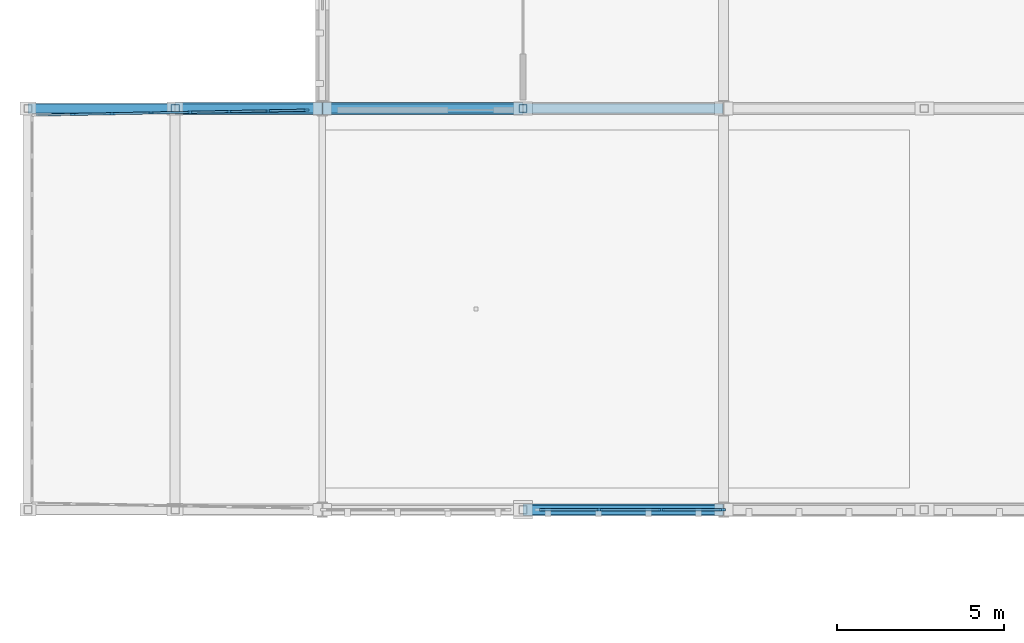
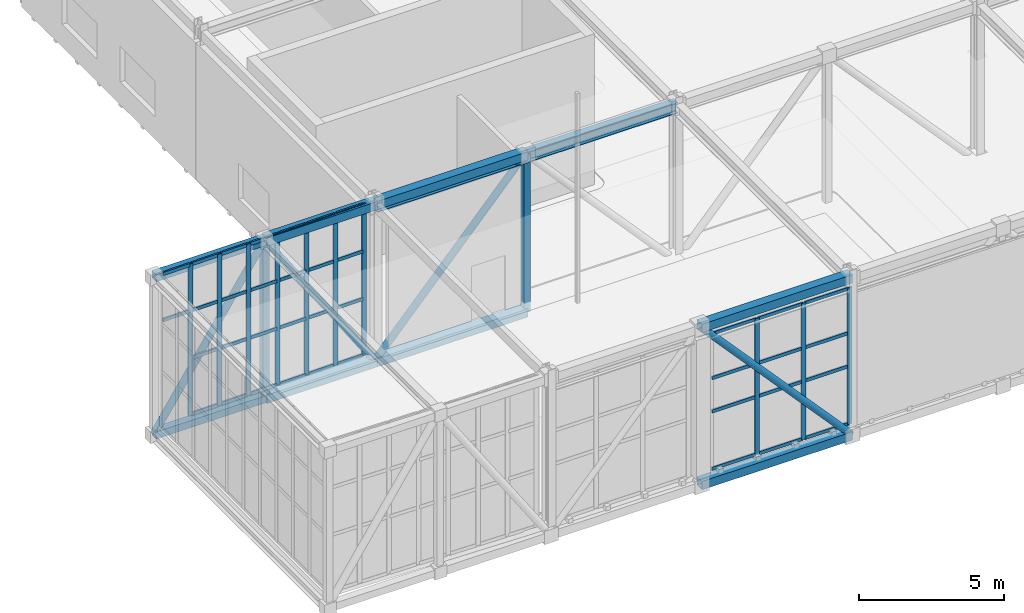
# One storey, part 14 of 62: 62 members, 1 beam, 2 elements without a shape of their own.
"""IFC4 building model written with IfcOpenShell, lengths in metres."""

from ifc_helpers import new_model, si_unit, direction, frame, origin, origin_2d, place, context, subcontext, project, spatial, rectangle, hollow_rectangle, hollow_circle, i_section, extrude, material, layer, layer_set, material_profile, profile_set, type_object, element, aggregate, save


model = new_model("IFC4")

# Units and contexts
model_context = context("Model", 3, precision=1e-05, world=origin(), true_north=direction((0.0, 1.0)))
body_context = subcontext(model_context, "Body", "Model", "MODEL_VIEW")
ifc_project = project(units=[si_unit("LENGTHUNIT", "METRE"), si_unit("AREAUNIT", "SQUARE_METRE"), si_unit("VOLUMEUNIT", "CUBIC_METRE"), si_unit("PLANEANGLEUNIT", "RADIAN"), si_unit("MASSUNIT", "GRAM", prefix="KILO")], contexts=[model_context])

# Site, building, storey
site_placement = place(None, origin())
site = spatial("IfcSite", under=ifc_project, at=site_placement, CompositionType="ELEMENT")
building_placement = place(site_placement, origin())
building = spatial("IfcBuilding", under=site, at=building_placement, Name="Zlatogorsky Bluff Art Gallery", CompositionType="ELEMENT")
storey_placement = place(building_placement, frame((0.0, 0.0, 16.800048828125)))
storey = spatial("IfcBuildingStorey", under=building, at=storey_placement, Name="L03", CompositionType="ELEMENT", Elevation=16.800048828125)

# Beam
ifc_material_1 = material(Name="Steel S355", Category="steel")
ifc_material_profile_1 = material_profile(ifc_material_1, i_section(OverallWidth=0.300048828125, OverallDepth=0.43994140625, WebThickness=0.011474609375, FlangeThickness=0.02099609375, FilletRadius=0.027099609375, at=origin_2d()), Name="HEA 450")
ifc_profile_set_1 = profile_set([ifc_material_profile_1], Name="Steel S355")
beam_type = type_object("IfcBeamType", Name="Beam BM-08 HEA 450", PredefinedType="BEAM", material=ifc_profile_set_1)
beam_placement = place(storey_placement, frame((0.014892578125, 96.0, 6.10986328125), z_axis=(1.0, 0.0, 0.0), x_axis=(0.0, 1.0, 0.0)))
element("IfcBeam", 1, at=beam_placement, inside=storey, type_object=beam_type, Name="Primary girder BM-08 L03 A-B/10", PredefinedType="BEAM", context=body_context, shape_type="SweptSolid", body=[
    extrude(i_section(OverallWidth=0.300048828125, OverallDepth=0.43994140625, WebThickness=0.011474609375, FlangeThickness=0.02099609375, FilletRadius=0.027099609375, at=origin_2d()), origin(), (0.0, 0.0, 1.0), 11.97021484375),
])

# Curtain wall, members
ifc_material_2 = material(Name="Anodised Bronze Aluminium and Low-Iron Triple Glazing", Category="aluminium")
ifc_layer_1 = layer(ifc_material_2, 0.219970703125)
ifc_layer_set_1 = layer_set([ifc_layer_1], Name="Curtain Wall CW-04")
curtain_wall_type_1 = type_object("IfcCurtainWallType", Name="Curtain Wall CW-04", PredefinedType="USERDEFINED", material=ifc_layer_set_1)
curtain_wall_1_placement = place(storey_placement, origin())
curtain_wall_1 = element("IfcCurtainWall", 2, at=curtain_wall_1_placement, inside=storey, type_object=curtain_wall_type_1, Name="Unitised curtain wall CW-04 L03 S 0.8-B", ObjectType="CURTAIN WALL", PredefinedType="USERDEFINED")
ifc_material_3 = material(Name="Anodised Bronze Aluminium", Category="aluminium")
ifc_material_profile_2 = material_profile(ifc_material_3, rectangle(XDim=0.06494140625, YDim=0.179931640625, at=origin_2d()), Name="ALU MULLION 65x180")
ifc_profile_set_2 = profile_set([ifc_material_profile_2], Name="Anodised Bronze Aluminium")
member_type_1 = type_object("IfcMemberType", Name="Curtain Mullion ML-01", PredefinedType="MULLION", material=ifc_profile_set_2)
member_1_placement = place(storey_placement, frame((8.280029296875, 84.0, 0.0), z_axis=(0.0, 0.0, 1.0), x_axis=(0.0, 1.0, 0.0)))
member_1 = element("IfcMember", 3, at=member_1_placement, type_object=member_type_1, Name="CW-04 mullion 2", PredefinedType="MULLION", context=body_context, shape_type="SweptSolid", body=[
    extrude(rectangle(XDim=0.06494140625, YDim=0.179931640625, at=origin_2d()), origin(), (0.0, 0.0, 1.0), 5.75),
])
member_2_placement = place(storey_placement, frame((10.139892578125, 84.0, 0.0), z_axis=(0.0, 0.0, 1.0), x_axis=(0.0, 1.0, 0.0)))
member_2 = element("IfcMember", 4, at=member_2_placement, type_object=member_type_1, Name="CW-04 mullion 3", PredefinedType="MULLION", context=body_context, shape_type="SweptSolid", body=[
    extrude(rectangle(XDim=0.06494140625, YDim=0.179931640625, at=origin_2d()), origin(), (0.0, 0.0, 1.0), 5.75),
])
member_3_placement = place(storey_placement, frame((11.967529296875, 84.0, 0.0), z_axis=(0.0, 0.0, 1.0), x_axis=(0.0, 1.0, 0.0)))
member_3 = element("IfcMember", 5, at=member_3_placement, type_object=member_type_1, Name="CW-04 mullion 4", PredefinedType="MULLION", context=body_context, shape_type="SweptSolid", body=[
    extrude(rectangle(XDim=0.06494140625, YDim=0.179931640625, at=origin_2d()), origin(), (0.0, 0.0, 1.0), 5.75),
])

ifc_layer_2 = layer(ifc_material_2, 0.179931640625)
ifc_layer_set_2 = layer_set([ifc_layer_2], Name="Curtain Wall CW-03")
curtain_wall_type_2 = type_object("IfcCurtainWallType", Name="Curtain Wall CW-03", PredefinedType="USERDEFINED", material=ifc_layer_set_2)
curtain_wall_2_placement = place(storey_placement, origin())
curtain_wall_2 = element("IfcCurtainWall", 6, at=curtain_wall_2_placement, inside=storey, type_object=curtain_wall_type_2, Name="Cantilevered lookout curtain wall N", ObjectType="CURTAIN WALL", PredefinedType="USERDEFINED")
member_4_placement = place(storey_placement, frame((-0.482421875, 95.949462890625, 0.0), z_axis=(0.0, 0.0, 1.0), x_axis=(0.018356759503, -0.999831500494, 0.0)))
member_4 = element("IfcMember", 7, at=member_4_placement, type_object=member_type_1, Name="CW-03 mullion 1", PredefinedType="MULLION", context=body_context, shape_type="SweptSolid", body=[
    extrude(rectangle(XDim=0.06494140625, YDim=0.179931640625, at=origin_2d()), origin(), (0.0, 0.0, 1.0), 6.3798828125),
])
member_5_placement = place(storey_placement, frame((-1.6171875, 95.928466796875, 0.0), z_axis=(0.0, 0.0, 1.0), x_axis=(0.018356759503, -0.999831500494, 0.0)))
member_5 = element("IfcMember", 8, at=member_5_placement, type_object=member_type_1, Name="CW-03 mullion 2", PredefinedType="MULLION", context=body_context, shape_type="SweptSolid", body=[
    extrude(rectangle(XDim=0.06494140625, YDim=0.179931640625, at=origin_2d()), origin(), (0.0, 0.0, 1.0), 6.3798828125),
])
member_6_placement = place(storey_placement, frame((-2.7841796875, 95.9072265625, 0.0), z_axis=(0.0, 0.0, 1.0), x_axis=(0.018356759503, -0.999831500494, 0.0)))
member_6 = element("IfcMember", 9, at=member_6_placement, type_object=member_type_1, Name="CW-03 mullion 3", PredefinedType="MULLION", context=body_context, shape_type="SweptSolid", body=[
    extrude(rectangle(XDim=0.06494140625, YDim=0.179931640625, at=origin_2d()), origin(), (0.0, 0.0, 1.0), 6.3798828125),
])
member_7_placement = place(storey_placement, frame((-3.951416015625, 95.8857421875, 0.0), z_axis=(0.0, 0.0, 1.0), x_axis=(0.018356759503, -0.999831500494, 0.0)))
member_7 = element("IfcMember", 10, at=member_7_placement, type_object=member_type_1, Name="CW-03 mullion 4", PredefinedType="MULLION", context=body_context, shape_type="SweptSolid", body=[
    extrude(rectangle(XDim=0.06494140625, YDim=0.179931640625, at=origin_2d()), origin(), (0.0, 0.0, 1.0), 6.3798828125),
])
member_8_placement = place(storey_placement, frame((-5.11865234375, 95.8642578125, 0.0), z_axis=(0.0, 0.0, 1.0), x_axis=(0.018356759503, -0.999831500494, 0.0)))
member_8 = element("IfcMember", 11, at=member_8_placement, type_object=member_type_1, Name="CW-03 mullion 5", PredefinedType="MULLION", context=body_context, shape_type="SweptSolid", body=[
    extrude(rectangle(XDim=0.06494140625, YDim=0.179931640625, at=origin_2d()), origin(), (0.0, 0.0, 1.0), 6.3798828125),
])
member_9_placement = place(storey_placement, frame((-6.28564453125, 95.8427734375, 0.0), z_axis=(0.0, 0.0, 1.0), x_axis=(0.018356759503, -0.999831500494, 0.0)))
member_9 = element("IfcMember", 12, at=member_9_placement, type_object=member_type_1, Name="CW-03 mullion 6", PredefinedType="MULLION", context=body_context, shape_type="SweptSolid", body=[
    extrude(rectangle(XDim=0.06494140625, YDim=0.179931640625, at=origin_2d()), origin(), (0.0, 0.0, 1.0), 6.3798828125),
])
member_10_placement = place(storey_placement, frame((-7.452880859375, 95.821533203125, 0.0), z_axis=(0.0, 0.0, 1.0), x_axis=(0.018356759503, -0.999831500494, 0.0)))
member_10 = element("IfcMember", 13, at=member_10_placement, type_object=member_type_1, Name="CW-03 mullion 7", PredefinedType="MULLION", context=body_context, shape_type="SweptSolid", body=[
    extrude(rectangle(XDim=0.06494140625, YDim=0.179931640625, at=origin_2d()), origin(), (0.0, 0.0, 1.0), 6.3798828125),
])

# Member
ifc_material_profile_3 = material_profile(ifc_material_3, rectangle(XDim=0.06494140625, YDim=0.139892578125, at=origin_2d()), Name="ALU TRANSOM 65x140")
ifc_profile_set_3 = profile_set([ifc_material_profile_3], Name="Anodised Bronze Aluminium")
member_type_2 = type_object("IfcMemberType", Name="Curtain Transom TR-01", PredefinedType="USERDEFINED", material=ifc_profile_set_3)
member_11_placement = place(storey_placement, frame((6.485107421875, 84.0, 0.032470703125), z_axis=(1.0, 0.0, 0.0), x_axis=(0.0, 1.0, 0.0)))
member_11 = element("IfcMember", 14, at=member_11_placement, type_object=member_type_2, Name="CW-04 transom 1.1", ObjectType="TRANSOM", PredefinedType="USERDEFINED", context=body_context, shape_type="SweptSolid", body=[
    extrude(rectangle(XDim=0.06494140625, YDim=0.139892578125, at=origin_2d()), origin(), (0.0, 0.0, 1.0), 1.762451171875),
])

member_12_placement = place(storey_placement, frame((6.485107421875, 84.0, 2.449951171875), z_axis=(1.0, 0.0, 0.0), x_axis=(0.0, 1.0, 0.0)))
member_12 = element("IfcMember", 15, at=member_12_placement, type_object=member_type_2, Name="CW-04 transom 1.2", ObjectType="TRANSOM", PredefinedType="USERDEFINED", context=body_context, shape_type="SweptSolid", body=[
    extrude(rectangle(XDim=0.06494140625, YDim=0.139892578125, at=origin_2d()), origin(), (0.0, 0.0, 1.0), 1.762451171875),
])

member_13_placement = place(storey_placement, frame((6.485107421875, 84.0, 3.849853515625), z_axis=(1.0, 0.0, 0.0), x_axis=(0.0, 1.0, 0.0)))
member_13 = element("IfcMember", 16, at=member_13_placement, type_object=member_type_2, Name="CW-04 transom 1.3", ObjectType="TRANSOM", PredefinedType="USERDEFINED", context=body_context, shape_type="SweptSolid", body=[
    extrude(rectangle(XDim=0.06494140625, YDim=0.139892578125, at=origin_2d()), origin(), (0.0, 0.0, 1.0), 1.762451171875),
])

member_14_placement = place(storey_placement, frame((6.485107421875, 84.0, 5.717529296875), z_axis=(1.0, 0.0, 0.0), x_axis=(0.0, 1.0, 0.0)))
member_14 = element("IfcMember", 17, at=member_14_placement, type_object=member_type_2, Name="CW-04 transom 1.4", ObjectType="TRANSOM", PredefinedType="USERDEFINED", context=body_context, shape_type="SweptSolid", body=[
    extrude(rectangle(XDim=0.06494140625, YDim=0.139892578125, at=origin_2d()), origin(), (0.0, 0.0, 1.0), 1.762451171875),
])

member_15_placement = place(storey_placement, frame((8.3125, 84.0, 0.032470703125), z_axis=(1.0, 0.0, 0.0), x_axis=(0.0, 1.0, 0.0)))
member_15 = element("IfcMember", 18, at=member_15_placement, type_object=member_type_2, Name="CW-04 transom 2.1", ObjectType="TRANSOM", PredefinedType="USERDEFINED", context=body_context, shape_type="SweptSolid", body=[
    extrude(rectangle(XDim=0.06494140625, YDim=0.139892578125, at=origin_2d()), origin(), (0.0, 0.0, 1.0), 1.794921875),
])

member_16_placement = place(storey_placement, frame((8.3125, 84.0, 2.449951171875), z_axis=(1.0, 0.0, 0.0), x_axis=(0.0, 1.0, 0.0)))
member_16 = element("IfcMember", 19, at=member_16_placement, type_object=member_type_2, Name="CW-04 transom 2.2", ObjectType="TRANSOM", PredefinedType="USERDEFINED", context=body_context, shape_type="SweptSolid", body=[
    extrude(rectangle(XDim=0.06494140625, YDim=0.139892578125, at=origin_2d()), origin(), (0.0, 0.0, 1.0), 1.794921875),
])

member_17_placement = place(storey_placement, frame((8.3125, 84.0, 3.849853515625), z_axis=(1.0, 0.0, 0.0), x_axis=(0.0, 1.0, 0.0)))
member_17 = element("IfcMember", 20, at=member_17_placement, type_object=member_type_2, Name="CW-04 transom 2.3", ObjectType="TRANSOM", PredefinedType="USERDEFINED", context=body_context, shape_type="SweptSolid", body=[
    extrude(rectangle(XDim=0.06494140625, YDim=0.139892578125, at=origin_2d()), origin(), (0.0, 0.0, 1.0), 1.794921875),
])

member_18_placement = place(storey_placement, frame((8.3125, 84.0, 5.717529296875), z_axis=(1.0, 0.0, 0.0), x_axis=(0.0, 1.0, 0.0)))
member_18 = element("IfcMember", 21, at=member_18_placement, type_object=member_type_2, Name="CW-04 transom 2.4", ObjectType="TRANSOM", PredefinedType="USERDEFINED", context=body_context, shape_type="SweptSolid", body=[
    extrude(rectangle(XDim=0.06494140625, YDim=0.139892578125, at=origin_2d()), origin(), (0.0, 0.0, 1.0), 1.794921875),
])

member_19_placement = place(storey_placement, frame((10.172607421875, 84.0, 0.032470703125), z_axis=(1.0, 0.0, 0.0), x_axis=(0.0, 1.0, 0.0)))
member_19 = element("IfcMember", 22, at=member_19_placement, type_object=member_type_2, Name="CW-04 transom 3.1", ObjectType="TRANSOM", PredefinedType="USERDEFINED", context=body_context, shape_type="SweptSolid", body=[
    extrude(rectangle(XDim=0.06494140625, YDim=0.139892578125, at=origin_2d()), origin(), (0.0, 0.0, 1.0), 1.762451171875),
])

member_20_placement = place(storey_placement, frame((10.172607421875, 84.0, 2.449951171875), z_axis=(1.0, 0.0, 0.0), x_axis=(0.0, 1.0, 0.0)))
member_20 = element("IfcMember", 23, at=member_20_placement, type_object=member_type_2, Name="CW-04 transom 3.2", ObjectType="TRANSOM", PredefinedType="USERDEFINED", context=body_context, shape_type="SweptSolid", body=[
    extrude(rectangle(XDim=0.06494140625, YDim=0.139892578125, at=origin_2d()), origin(), (0.0, 0.0, 1.0), 1.762451171875),
])

member_21_placement = place(storey_placement, frame((10.172607421875, 84.0, 3.849853515625), z_axis=(1.0, 0.0, 0.0), x_axis=(0.0, 1.0, 0.0)))
member_21 = element("IfcMember", 24, at=member_21_placement, type_object=member_type_2, Name="CW-04 transom 3.3", ObjectType="TRANSOM", PredefinedType="USERDEFINED", context=body_context, shape_type="SweptSolid", body=[
    extrude(rectangle(XDim=0.06494140625, YDim=0.139892578125, at=origin_2d()), origin(), (0.0, 0.0, 1.0), 1.762451171875),
])

member_22_placement = place(storey_placement, frame((10.172607421875, 84.0, 5.717529296875), z_axis=(1.0, 0.0, 0.0), x_axis=(0.0, 1.0, 0.0)))
member_22 = element("IfcMember", 25, at=member_22_placement, type_object=member_type_2, Name="CW-04 transom 3.4", ObjectType="TRANSOM", PredefinedType="USERDEFINED", context=body_context, shape_type="SweptSolid", body=[
    extrude(rectangle(XDim=0.06494140625, YDim=0.139892578125, at=origin_2d()), origin(), (0.0, 0.0, 1.0), 1.762451171875),
])

aggregate(curtain_wall_1, [member_1, member_2, member_3, member_11, member_12, member_13, member_14, member_15, member_16, member_17, member_18, member_19, member_20, member_21, member_22])

member_23_placement = place(storey_placement, frame((-0.514892578125, 95.94873046875, 0.032470703125), z_axis=(-0.99983339168, -0.018253462194, 0.0), x_axis=(0.018253462194, -0.99983339168, 0.0)))
member_23 = element("IfcMember", 26, at=member_23_placement, type_object=member_type_2, Name="CW-03 transom 1.1", ObjectType="TRANSOM", PredefinedType="USERDEFINED", context=body_context, shape_type="SweptSolid", body=[
    extrude(rectangle(XDim=0.06494140625, YDim=0.139892578125, at=origin_2d()), origin(), (0.0, 0.0, 1.0), 1.070068359375),
])

member_24_placement = place(storey_placement, frame((-0.514892578125, 95.94873046875, 2.39990234375), z_axis=(-0.99983339168, -0.018253462194, 0.0), x_axis=(0.018253462194, -0.99983339168, 0.0)))
member_24 = element("IfcMember", 27, at=member_24_placement, type_object=member_type_2, Name="CW-03 transom 1.2", ObjectType="TRANSOM", PredefinedType="USERDEFINED", context=body_context, shape_type="SweptSolid", body=[
    extrude(rectangle(XDim=0.06494140625, YDim=0.139892578125, at=origin_2d()), origin(), (0.0, 0.0, 1.0), 1.070068359375),
])

member_25_placement = place(storey_placement, frame((-0.514892578125, 95.94873046875, 4.39990234375), z_axis=(-0.99983339168, -0.018253462194, 0.0), x_axis=(0.018253462194, -0.99983339168, 0.0)))
member_25 = element("IfcMember", 28, at=member_25_placement, type_object=member_type_2, Name="CW-03 transom 1.3", ObjectType="TRANSOM", PredefinedType="USERDEFINED", context=body_context, shape_type="SweptSolid", body=[
    extrude(rectangle(XDim=0.06494140625, YDim=0.139892578125, at=origin_2d()), origin(), (0.0, 0.0, 1.0), 1.070068359375),
])

member_26_placement = place(storey_placement, frame((-0.514892578125, 95.94873046875, 6.347412109375), z_axis=(-0.99983339168, -0.018253462194, 0.0), x_axis=(0.018253462194, -0.99983339168, 0.0)))
member_26 = element("IfcMember", 29, at=member_26_placement, type_object=member_type_2, Name="CW-03 transom 1.4", ObjectType="TRANSOM", PredefinedType="USERDEFINED", context=body_context, shape_type="SweptSolid", body=[
    extrude(rectangle(XDim=0.06494140625, YDim=0.139892578125, at=origin_2d()), origin(), (0.0, 0.0, 1.0), 1.070068359375),
])

member_27_placement = place(storey_placement, frame((-1.649658203125, 95.927978515625, 0.032470703125), z_axis=(-0.999830997561, -0.01838413221, 0.0), x_axis=(0.01838413221, -0.999830997561, 0.0)))
member_27 = element("IfcMember", 30, at=member_27_placement, type_object=member_type_2, Name="CW-03 transom 2.1", ObjectType="TRANSOM", PredefinedType="USERDEFINED", context=body_context, shape_type="SweptSolid", body=[
    extrude(rectangle(XDim=0.06494140625, YDim=0.139892578125, at=origin_2d()), origin(), (0.0, 0.0, 1.0), 1.102294921875),
])

member_28_placement = place(storey_placement, frame((-1.649658203125, 95.927978515625, 2.39990234375), z_axis=(-0.999830997561, -0.01838413221, 0.0), x_axis=(0.01838413221, -0.999830997561, 0.0)))
member_28 = element("IfcMember", 31, at=member_28_placement, type_object=member_type_2, Name="CW-03 transom 2.2", ObjectType="TRANSOM", PredefinedType="USERDEFINED", context=body_context, shape_type="SweptSolid", body=[
    extrude(rectangle(XDim=0.06494140625, YDim=0.139892578125, at=origin_2d()), origin(), (0.0, 0.0, 1.0), 1.102294921875),
])

member_29_placement = place(storey_placement, frame((-1.649658203125, 95.927978515625, 4.39990234375), z_axis=(-0.999830997561, -0.01838413221, 0.0), x_axis=(0.01838413221, -0.999830997561, 0.0)))
member_29 = element("IfcMember", 32, at=member_29_placement, type_object=member_type_2, Name="CW-03 transom 2.3", ObjectType="TRANSOM", PredefinedType="USERDEFINED", context=body_context, shape_type="SweptSolid", body=[
    extrude(rectangle(XDim=0.06494140625, YDim=0.139892578125, at=origin_2d()), origin(), (0.0, 0.0, 1.0), 1.102294921875),
])

member_30_placement = place(storey_placement, frame((-1.649658203125, 95.927978515625, 6.347412109375), z_axis=(-0.999830997561, -0.01838413221, 0.0), x_axis=(0.01838413221, -0.999830997561, 0.0)))
member_30 = element("IfcMember", 33, at=member_30_placement, type_object=member_type_2, Name="CW-03 transom 2.4", ObjectType="TRANSOM", PredefinedType="USERDEFINED", context=body_context, shape_type="SweptSolid", body=[
    extrude(rectangle(XDim=0.06494140625, YDim=0.139892578125, at=origin_2d()), origin(), (0.0, 0.0, 1.0), 1.102294921875),
])

member_31_placement = place(storey_placement, frame((-2.81689453125, 95.906494140625, 0.032470703125), z_axis=(-0.999830997561, -0.01838413221, 0.0), x_axis=(0.01838413221, -0.999830997561, 0.0)))
member_31 = element("IfcMember", 34, at=member_31_placement, type_object=member_type_2, Name="CW-03 transom 3.1", ObjectType="TRANSOM", PredefinedType="USERDEFINED", context=body_context, shape_type="SweptSolid", body=[
    extrude(rectangle(XDim=0.06494140625, YDim=0.139892578125, at=origin_2d()), origin(), (0.0, 0.0, 1.0), 1.102294921875),
])

member_32_placement = place(storey_placement, frame((-2.81689453125, 95.906494140625, 2.39990234375), z_axis=(-0.999830997561, -0.01838413221, 0.0), x_axis=(0.01838413221, -0.999830997561, 0.0)))
member_32 = element("IfcMember", 35, at=member_32_placement, type_object=member_type_2, Name="CW-03 transom 3.2", ObjectType="TRANSOM", PredefinedType="USERDEFINED", context=body_context, shape_type="SweptSolid", body=[
    extrude(rectangle(XDim=0.06494140625, YDim=0.139892578125, at=origin_2d()), origin(), (0.0, 0.0, 1.0), 1.102294921875),
])

member_33_placement = place(storey_placement, frame((-2.81689453125, 95.906494140625, 4.39990234375), z_axis=(-0.999830997561, -0.01838413221, 0.0), x_axis=(0.01838413221, -0.999830997561, 0.0)))
member_33 = element("IfcMember", 36, at=member_33_placement, type_object=member_type_2, Name="CW-03 transom 3.3", ObjectType="TRANSOM", PredefinedType="USERDEFINED", context=body_context, shape_type="SweptSolid", body=[
    extrude(rectangle(XDim=0.06494140625, YDim=0.139892578125, at=origin_2d()), origin(), (0.0, 0.0, 1.0), 1.102294921875),
])

member_34_placement = place(storey_placement, frame((-2.81689453125, 95.906494140625, 6.347412109375), z_axis=(-0.999830997561, -0.01838413221, 0.0), x_axis=(0.01838413221, -0.999830997561, 0.0)))
member_34 = element("IfcMember", 37, at=member_34_placement, type_object=member_type_2, Name="CW-03 transom 3.4", ObjectType="TRANSOM", PredefinedType="USERDEFINED", context=body_context, shape_type="SweptSolid", body=[
    extrude(rectangle(XDim=0.06494140625, YDim=0.139892578125, at=origin_2d()), origin(), (0.0, 0.0, 1.0), 1.102294921875),
])

member_35_placement = place(storey_placement, frame((-3.98388671875, 95.885009765625, 0.032470703125), z_axis=(-0.999835117419, -0.018158688733, 0.0), x_axis=(0.018158688733, -0.999835117419, 0.0)))
member_35 = element("IfcMember", 38, at=member_35_placement, type_object=member_type_2, Name="CW-03 transom 4.1", ObjectType="TRANSOM", PredefinedType="USERDEFINED", context=body_context, shape_type="SweptSolid", body=[
    extrude(rectangle(XDim=0.06494140625, YDim=0.139892578125, at=origin_2d()), origin(), (0.0, 0.0, 1.0), 1.1025390625),
])

member_36_placement = place(storey_placement, frame((-3.98388671875, 95.885009765625, 2.39990234375), z_axis=(-0.999835117419, -0.018158688733, 0.0), x_axis=(0.018158688733, -0.999835117419, 0.0)))
member_36 = element("IfcMember", 39, at=member_36_placement, type_object=member_type_2, Name="CW-03 transom 4.2", ObjectType="TRANSOM", PredefinedType="USERDEFINED", context=body_context, shape_type="SweptSolid", body=[
    extrude(rectangle(XDim=0.06494140625, YDim=0.139892578125, at=origin_2d()), origin(), (0.0, 0.0, 1.0), 1.1025390625),
])

member_37_placement = place(storey_placement, frame((-3.98388671875, 95.885009765625, 4.39990234375), z_axis=(-0.999835117419, -0.018158688733, 0.0), x_axis=(0.018158688733, -0.999835117419, 0.0)))
member_37 = element("IfcMember", 40, at=member_37_placement, type_object=member_type_2, Name="CW-03 transom 4.3", ObjectType="TRANSOM", PredefinedType="USERDEFINED", context=body_context, shape_type="SweptSolid", body=[
    extrude(rectangle(XDim=0.06494140625, YDim=0.139892578125, at=origin_2d()), origin(), (0.0, 0.0, 1.0), 1.1025390625),
])

member_38_placement = place(storey_placement, frame((-3.98388671875, 95.885009765625, 6.347412109375), z_axis=(-0.999835117419, -0.018158688733, 0.0), x_axis=(0.018158688733, -0.999835117419, 0.0)))
member_38 = element("IfcMember", 41, at=member_38_placement, type_object=member_type_2, Name="CW-03 transom 4.4", ObjectType="TRANSOM", PredefinedType="USERDEFINED", context=body_context, shape_type="SweptSolid", body=[
    extrude(rectangle(XDim=0.06494140625, YDim=0.139892578125, at=origin_2d()), origin(), (0.0, 0.0, 1.0), 1.1025390625),
])

member_39_placement = place(storey_placement, frame((-5.151123046875, 95.86376953125, 0.032470703125), z_axis=(-0.999830997561, -0.01838413221, 0.0), x_axis=(0.01838413221, -0.999830997561, 0.0)))
member_39 = element("IfcMember", 42, at=member_39_placement, type_object=member_type_2, Name="CW-03 transom 5.1", ObjectType="TRANSOM", PredefinedType="USERDEFINED", context=body_context, shape_type="SweptSolid", body=[
    extrude(rectangle(XDim=0.06494140625, YDim=0.139892578125, at=origin_2d()), origin(), (0.0, 0.0, 1.0), 1.102294921875),
])

member_40_placement = place(storey_placement, frame((-5.151123046875, 95.86376953125, 2.39990234375), z_axis=(-0.999830997561, -0.01838413221, 0.0), x_axis=(0.01838413221, -0.999830997561, 0.0)))
member_40 = element("IfcMember", 43, at=member_40_placement, type_object=member_type_2, Name="CW-03 transom 5.2", ObjectType="TRANSOM", PredefinedType="USERDEFINED", context=body_context, shape_type="SweptSolid", body=[
    extrude(rectangle(XDim=0.06494140625, YDim=0.139892578125, at=origin_2d()), origin(), (0.0, 0.0, 1.0), 1.102294921875),
])

member_41_placement = place(storey_placement, frame((-5.151123046875, 95.86376953125, 4.39990234375), z_axis=(-0.999830997561, -0.01838413221, 0.0), x_axis=(0.01838413221, -0.999830997561, 0.0)))
member_41 = element("IfcMember", 44, at=member_41_placement, type_object=member_type_2, Name="CW-03 transom 5.3", ObjectType="TRANSOM", PredefinedType="USERDEFINED", context=body_context, shape_type="SweptSolid", body=[
    extrude(rectangle(XDim=0.06494140625, YDim=0.139892578125, at=origin_2d()), origin(), (0.0, 0.0, 1.0), 1.102294921875),
])

member_42_placement = place(storey_placement, frame((-5.151123046875, 95.86376953125, 6.347412109375), z_axis=(-0.999830997561, -0.01838413221, 0.0), x_axis=(0.01838413221, -0.999830997561, 0.0)))
member_42 = element("IfcMember", 45, at=member_42_placement, type_object=member_type_2, Name="CW-03 transom 5.4", ObjectType="TRANSOM", PredefinedType="USERDEFINED", context=body_context, shape_type="SweptSolid", body=[
    extrude(rectangle(XDim=0.06494140625, YDim=0.139892578125, at=origin_2d()), origin(), (0.0, 0.0, 1.0), 1.102294921875),
])

member_43_placement = place(storey_placement, frame((-6.318115234375, 95.84228515625, 0.032470703125), z_axis=(-0.999831072396, -0.018380061796, 0.0), x_axis=(0.018380061796, -0.999831072396, 0.0)))
member_43 = element("IfcMember", 46, at=member_43_placement, type_object=member_type_2, Name="CW-03 transom 6.1", ObjectType="TRANSOM", PredefinedType="USERDEFINED", context=body_context, shape_type="SweptSolid", body=[
    extrude(rectangle(XDim=0.06494140625, YDim=0.139892578125, at=origin_2d()), origin(), (0.0, 0.0, 1.0), 1.1025390625),
])

member_44_placement = place(storey_placement, frame((-6.318115234375, 95.84228515625, 2.39990234375), z_axis=(-0.999831072396, -0.018380061796, 0.0), x_axis=(0.018380061796, -0.999831072396, 0.0)))
member_44 = element("IfcMember", 47, at=member_44_placement, type_object=member_type_2, Name="CW-03 transom 6.2", ObjectType="TRANSOM", PredefinedType="USERDEFINED", context=body_context, shape_type="SweptSolid", body=[
    extrude(rectangle(XDim=0.06494140625, YDim=0.139892578125, at=origin_2d()), origin(), (0.0, 0.0, 1.0), 1.1025390625),
])

member_45_placement = place(storey_placement, frame((-6.318115234375, 95.84228515625, 4.39990234375), z_axis=(-0.999831072396, -0.018380061796, 0.0), x_axis=(0.018380061796, -0.999831072396, 0.0)))
member_45 = element("IfcMember", 48, at=member_45_placement, type_object=member_type_2, Name="CW-03 transom 6.3", ObjectType="TRANSOM", PredefinedType="USERDEFINED", context=body_context, shape_type="SweptSolid", body=[
    extrude(rectangle(XDim=0.06494140625, YDim=0.139892578125, at=origin_2d()), origin(), (0.0, 0.0, 1.0), 1.1025390625),
])

member_46_placement = place(storey_placement, frame((-6.318115234375, 95.84228515625, 6.347412109375), z_axis=(-0.999831072396, -0.018380061796, 0.0), x_axis=(0.018380061796, -0.999831072396, 0.0)))
member_46 = element("IfcMember", 49, at=member_46_placement, type_object=member_type_2, Name="CW-03 transom 6.4", ObjectType="TRANSOM", PredefinedType="USERDEFINED", context=body_context, shape_type="SweptSolid", body=[
    extrude(rectangle(XDim=0.06494140625, YDim=0.139892578125, at=origin_2d()), origin(), (0.0, 0.0, 1.0), 1.1025390625),
])

member_47_placement = place(storey_placement, frame((-7.4853515625, 95.82080078125, 4.39990234375), z_axis=(-0.999833315631, -0.018257627311, 0.0), x_axis=(0.018257627311, -0.999833315631, 0.0)))
member_47 = element("IfcMember", 50, at=member_47_placement, type_object=member_type_2, Name="CW-03 transom 7.3", ObjectType="TRANSOM", PredefinedType="USERDEFINED", context=body_context, shape_type="SweptSolid", body=[
    extrude(rectangle(XDim=0.06494140625, YDim=0.139892578125, at=origin_2d()), origin(), (0.0, 0.0, 1.0), 1.06982421875),
])

member_48_placement = place(storey_placement, frame((-7.4853515625, 95.82080078125, 6.347412109375), z_axis=(-0.999833315631, -0.018257627311, 0.0), x_axis=(0.018257627311, -0.999833315631, 0.0)))
member_48 = element("IfcMember", 51, at=member_48_placement, type_object=member_type_2, Name="CW-03 transom 7.4", ObjectType="TRANSOM", PredefinedType="USERDEFINED", context=body_context, shape_type="SweptSolid", body=[
    extrude(rectangle(XDim=0.06494140625, YDim=0.139892578125, at=origin_2d()), origin(), (0.0, 0.0, 1.0), 1.06982421875),
])

aggregate(curtain_wall_2, [member_4, member_5, member_6, member_7, member_8, member_9, member_10, member_23, member_24, member_25, member_26, member_27, member_28, member_29, member_30, member_31, member_32, member_33, member_34, member_35, member_36, member_37, member_38, member_39, member_40, member_41, member_42, member_43, member_44, member_45, member_46, member_47, member_48])

# Members
ifc_material_profile_4 = material_profile(ifc_material_1, hollow_rectangle(XDim=0.35009765625, YDim=0.35009765625, WallThickness=0.01611328125, at=origin_2d()), Name="SHS 350x350x16")
ifc_profile_set_4 = profile_set([ifc_material_profile_4], Name="Steel S355")
member_type_3 = type_object("IfcMemberType", Name="Member TC-01 SHS 350x350x16", PredefinedType="CHORD", material=ifc_profile_set_4)
for number, where, z_axis, x_axis, name in (
    (52, (6.0, 84.0, -0.4150390625), (1.0, 0.0, 0.0), (0.0, 1.0, 0.0), "Lookout cantilever truss bottom chord S.4"),
    (53, (6.0, 84.0, 6.204833984375), (1.0, 0.0, 0.0), (0.0, 1.0, 0.0), "Lookout cantilever truss top chord S.4"),
):
    element("IfcMember", number, at=place(storey_placement, frame(where, z_axis=z_axis, x_axis=x_axis)), inside=storey, type_object=member_type_3, Name=name, PredefinedType="CHORD", context=body_context, shape_type="SweptSolid", body=[
        extrude(hollow_rectangle(XDim=0.35009765625, YDim=0.35009765625, WallThickness=0.01611328125, at=origin_2d()), origin(), (0.0, 0.0, 1.0), 6.0),
    ])
for number, where, z_axis, x_axis, name in (
    (54, (-4.39990234375, 96.0, -0.4150390625), (1.0, 0.0, 0.0), (0.0, 1.0, 0.0), "Lookout cantilever truss bottom chord N.2"),
    (55, (-4.39990234375, 96.0, 6.204833984375), (1.0, 0.0, 0.0), (0.0, 1.0, 0.0), "Lookout cantilever truss top chord N.2"),
):
    element("IfcMember", number, at=place(storey_placement, frame(where, z_axis=z_axis, x_axis=x_axis)), inside=storey, type_object=member_type_3, Name=name, PredefinedType="CHORD", context=body_context, shape_type="SweptSolid", body=[
        extrude(hollow_rectangle(XDim=0.35009765625, YDim=0.35009765625, WallThickness=0.01611328125, at=origin_2d()), origin(), (0.0, 0.0, 1.0), 4.39990234375),
    ])
for number, where, z_axis, x_axis, name in (
    (56, (0.0, 96.0, -0.4150390625), (1.0, 0.0, 0.0), (0.0, 1.0, 0.0), "Lookout cantilever truss bottom chord N.3"),
    (57, (0.0, 96.0, 6.204833984375), (1.0, 0.0, 0.0), (0.0, 1.0, 0.0), "Lookout cantilever truss top chord N.3"),
):
    element("IfcMember", number, at=place(storey_placement, frame(where, z_axis=z_axis, x_axis=x_axis)), inside=storey, type_object=member_type_3, Name=name, PredefinedType="CHORD", context=body_context, shape_type="SweptSolid", body=[
        extrude(hollow_rectangle(XDim=0.35009765625, YDim=0.35009765625, WallThickness=0.01611328125, at=origin_2d()), origin(), (0.0, 0.0, 1.0), 6.0),
    ])
ifc_material_profile_5 = material_profile(ifc_material_1, hollow_rectangle(XDim=0.300048828125, YDim=0.300048828125, WallThickness=0.01611328125, at=origin_2d()), Name="SHS 300x300x16")
ifc_profile_set_5 = profile_set([ifc_material_profile_5], Name="Steel S355")
member_type_4 = type_object("IfcMemberType", Name="Member TC-02 SHS 300x300x16", PredefinedType="CHORD", material=ifc_profile_set_5)
for number, where, z_axis, x_axis, name in (
    (58, (-8.800048828125, 96.0, -0.4150390625), (1.0, 0.0, 0.0), (0.0, 1.0, 0.0), "Lookout cantilever truss bottom chord N.1"),
    (59, (-8.800048828125, 96.0, 6.204833984375), (1.0, 0.0, 0.0), (0.0, 1.0, 0.0), "Lookout cantilever truss top chord N.1"),
):
    element("IfcMember", number, at=place(storey_placement, frame(where, z_axis=z_axis, x_axis=x_axis)), inside=storey, type_object=member_type_4, Name=name, PredefinedType="CHORD", context=body_context, shape_type="SweptSolid", body=[
        extrude(hollow_rectangle(XDim=0.300048828125, YDim=0.300048828125, WallThickness=0.01611328125, at=origin_2d()), origin(), (0.0, 0.0, 1.0), 4.400146484375),
    ])
ifc_material_profile_6 = material_profile(ifc_material_1, hollow_circle(Radius=0.136474609375, WallThickness=0.01611328125, at=origin_2d()), Name="CHS 273x16")
ifc_profile_set_6 = profile_set([ifc_material_profile_6], Name="Steel S355")
member_type_5 = type_object("IfcMemberType", Name="Member TD-01 CHS 273x16", PredefinedType="BRACE", material=ifc_profile_set_6)
member_49_placement = place(storey_placement, frame((6.0, 84.0, 6.204833984375), z_axis=(0.671564903392, 0.0, -0.740945733865), x_axis=(0.0, 1.0, 0.0)))
element("IfcMember", 60, at=member_49_placement, inside=storey, type_object=member_type_5, Name="Lookout cantilever truss web diagonal S.4", PredefinedType="BRACE", context=body_context, shape_type="SweptSolid", body=[
    extrude(hollow_circle(Radius=0.136474609375, WallThickness=0.01611328125, at=origin_2d()), origin(), (0.0, 0.0, 1.0), 8.934326171875),
])
for number, where, z_axis, x_axis, name in (
    (61, (-8.800048828125, 96.0, -0.4150390625), (0.553558531083, 0.0, 0.832810274111), (0.0, 1.0, 0.0), "Lookout cantilever truss web diagonal N.1"),
    (62, (-4.39990234375, 96.0, 6.204833984375), (0.553537228136, 0.0, -0.83282443352), (0.0, 1.0, 0.0), "Lookout cantilever truss web diagonal N.2"),
):
    element("IfcMember", number, at=place(storey_placement, frame(where, z_axis=z_axis, x_axis=x_axis)), inside=storey, type_object=member_type_5, Name=name, PredefinedType="BRACE", context=body_context, shape_type="SweptSolid", body=[
        extrude(hollow_circle(Radius=0.136474609375, WallThickness=0.01611328125, at=origin_2d()), origin(), (0.0, 0.0, 1.0), 7.94873046875),
    ])
member_50_placement = place(storey_placement, frame((0.0, 96.0, -0.4150390625), z_axis=(0.671564903392, 0.0, 0.740945733865), x_axis=(0.0, 1.0, 0.0)))
element("IfcMember", 63, at=member_50_placement, inside=storey, type_object=member_type_5, Name="Lookout cantilever truss web diagonal N.3", PredefinedType="BRACE", context=body_context, shape_type="SweptSolid", body=[
    extrude(hollow_circle(Radius=0.136474609375, WallThickness=0.01611328125, at=origin_2d()), origin(), (0.0, 0.0, 1.0), 8.934326171875),
])
ifc_material_profile_7 = material_profile(ifc_material_1, hollow_rectangle(XDim=0.25, YDim=0.25, WallThickness=0.01611328125, at=origin_2d()), Name="SHS 250x250x16")
ifc_profile_set_7 = profile_set([ifc_material_profile_7], Name="Steel S355")
member_type_6 = type_object("IfcMemberType", Name="Member TP-01 SHS 250x250x16", PredefinedType="POST", material=ifc_profile_set_7)
for number, where, z_axis, x_axis, name in (
    (64, (-4.39990234375, 96.0, -0.4150390625), (0.0, 0.0, 1.0), (1.0, 0.0, 0.0), "Lookout cantilever truss post N.2"),
    (65, (6.0, 96.0, -0.4150390625), (0.0, 0.0, 1.0), (1.0, 0.0, 0.0), "Lookout cantilever truss post N.4"),
):
    element("IfcMember", number, at=place(storey_placement, frame(where, z_axis=z_axis, x_axis=x_axis)), inside=storey, type_object=member_type_6, Name=name, PredefinedType="POST", context=body_context, shape_type="SweptSolid", body=[
        extrude(hollow_rectangle(XDim=0.25, YDim=0.25, WallThickness=0.01611328125, at=origin_2d()), origin(), (0.0, 0.0, 1.0), 6.619873046875),
    ])

save(model, "model.ifc")
